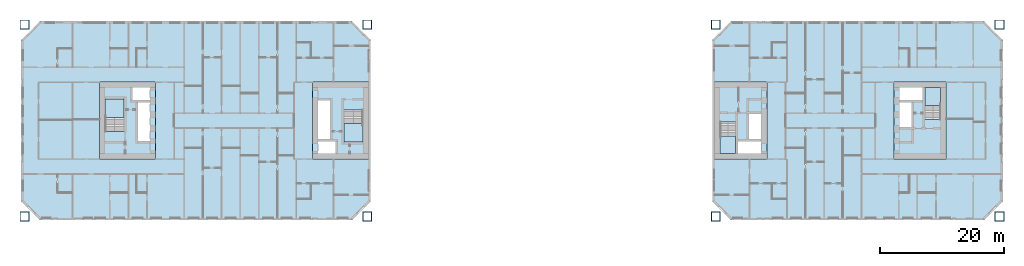
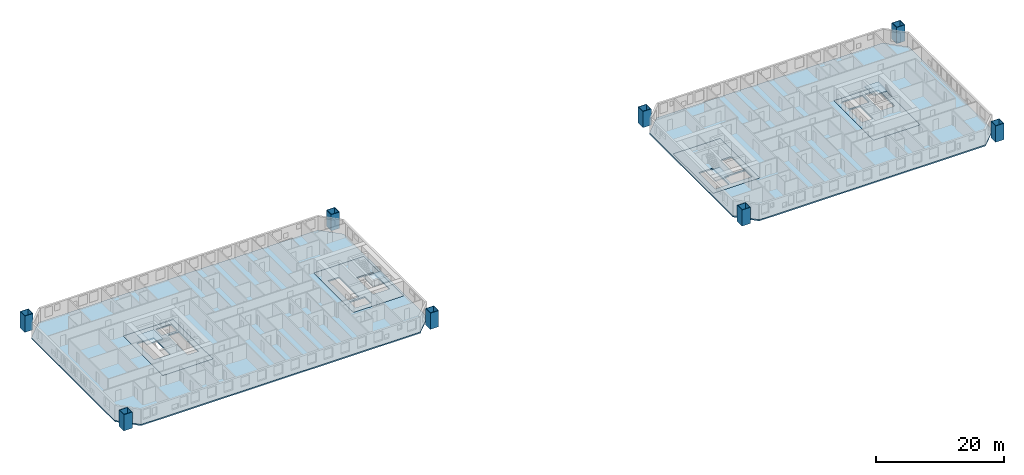
# One storey, part 1 of 17: 10 slabs, 8 columns, 4 elements without a shape of their own.
"""IFC4 building model written with IfcOpenShell, lengths in metres."""

from ifc_helpers import new_model, si_unit, direction, frame, origin, origin_2d, place, context, subcontext, project, spatial, polyline, hollow_rectangle, outline, extrude, material, layer, layer_set, material_profile, profile_set, type_object, element, aggregate, save


model = new_model("IFC4")

# Units and contexts
model_context = context("Model", 3, precision=1e-05, world=origin(), true_north=direction((0.0, 1.0)))
body_context = subcontext(model_context, "Body", "Model", "MODEL_VIEW")
ifc_project = project(units=[si_unit("LENGTHUNIT", "METRE"), si_unit("AREAUNIT", "SQUARE_METRE"), si_unit("VOLUMEUNIT", "CUBIC_METRE"), si_unit("PLANEANGLEUNIT", "RADIAN"), si_unit("MASSUNIT", "GRAM", prefix="KILO")], contexts=[model_context])

# Site, building, storey
site_placement = place(None, origin())
site = spatial("IfcSite", under=ifc_project, at=site_placement, CompositionType="ELEMENT")
building_placement = place(site_placement, origin())
building = spatial("IfcBuilding", under=site, at=building_placement, Name="Tuart Gate Housing", CompositionType="ELEMENT")
storey_placement = place(building_placement, frame((0.0, 0.0, 22.60009765625)))
storey = spatial("IfcBuildingStorey", under=building, at=storey_placement, Name="L05", CompositionType="ELEMENT", Elevation=22.60009765625)

# Columns
ifc_material_1 = material(Name="Steel Grade 350", Category="steel")
ifc_material_profile = material_profile(ifc_material_1, hollow_rectangle(XDim=1.5, YDim=1.5, WallThickness=0.080078125, at=origin_2d()), Name="BOX 1500x1500x80")
ifc_profile_set = profile_set([ifc_material_profile], Name="Steel Grade 350")
column_type = type_object("IfcColumnType", Name="Mega column BOX 1500x1500x80", PredefinedType="COLUMN", material=ifc_profile_set)
for number, where, z_axis, x_axis, name in (
    (1, (20.300048828125, 54.550048828125, 0.0), (0.0, 0.0, 1.0), (1.0, 0.0, 0.0), "Mega column A south-west L05"),
    (2, (75.449951171875, 54.550048828125, 0.0), (0.0, 0.0, 1.0), (1.0, 0.0, 0.0), "Mega column A south-east L05"),
    (3, (75.449951171875, 85.449951171875, 0.0), (0.0, 0.0, 1.0), (1.0, 0.0, 0.0), "Mega column A north-east L05"),
    (4, (20.300048828125, 85.449951171875, 0.0), (0.0, 0.0, 1.0), (1.0, 0.0, 0.0), "Mega column A north-west L05"),
    (5, (131.550048828125, 54.550048828125, 0.0), (0.0, 0.0, 1.0), (1.0, 0.0, 0.0), "Mega column B south-west L05"),
    (6, (177.199951171875, 54.550048828125, 0.0), (0.0, 0.0, 1.0), (1.0, 0.0, 0.0), "Mega column B south-east L05"),
    (7, (177.199951171875, 85.449951171875, 0.0), (0.0, 0.0, 1.0), (1.0, 0.0, 0.0), "Mega column B north-east L05"),
    (8, (131.550048828125, 85.449951171875, 0.0), (0.0, 0.0, 1.0), (1.0, 0.0, 0.0), "Mega column B north-west L05"),
):
    element("IfcColumn", number, at=place(storey_placement, frame(where, z_axis=z_axis, x_axis=x_axis)), inside=storey, type_object=column_type, Name=name, PredefinedType="COLUMN", context=body_context, shape_type="SweptSolid", body=[
        extrude(hollow_rectangle(XDim=1.5, YDim=1.5, WallThickness=0.080078125, at=origin_2d()), origin(), (0.0, 0.0, 1.0), 3.099853515625),
    ])

# Slabs
ifc_material_2 = material(Name="Concrete C40", Category="concrete")
ifc_layer_1 = layer(ifc_material_2, 0.25)
ifc_layer_set_1 = layer_set([ifc_layer_1], Name="Core floor slab 250")
slab_type_1 = type_object("IfcSlabType", Name="Core floor slab 250", PredefinedType="FLOOR", material=ifc_layer_set_1)
slab_1_placement = place(storey_placement, frame((0.0, 0.0, -0.25)))
element("IfcSlab", 9, at=slab_1_placement, inside=storey, type_object=slab_type_1, Name="Core floor AG", PredefinedType="FLOOR", context=body_context, shape_type="SweptSolid", body=[
    extrude(outline(polyline([(66.639892578125, 63.800048828125), (75.639892578125, 63.800048828125), (75.639892578125, 76.199951171875), (66.639892578125, 76.199951171875), (66.639892578125, 63.800048828125)]), holes=[polyline([(67.5400390625, 64.699951171875), (70.31005859375, 64.699951171875), (70.31005859375, 66.64990234375), (67.5400390625, 66.64990234375), (67.5400390625, 64.699951171875)]), polyline([(67.5400390625, 67.050048828125), (69.489990234375, 67.050048828125), (69.489990234375, 73.25), (67.5400390625, 73.25), (67.5400390625, 67.050048828125)]), polyline([(71.739990234375, 66.550048828125), (74.739990234375, 66.550048828125), (74.739990234375, 71.72998046875), (71.739990234375, 71.72998046875), (71.739990234375, 66.550048828125)])]), origin(), (0.0, 0.0, 1.0), 0.25),
])
slab_2_placement = place(storey_placement, frame((0.0, 0.0, -0.25)))
element("IfcSlab", 10, at=slab_2_placement, inside=storey, type_object=slab_type_1, Name="Core floor AK", PredefinedType="FLOOR", context=body_context, shape_type="SweptSolid", body=[
    extrude(outline(polyline([(32.360107421875, 63.800048828125), (41.360107421875, 63.800048828125), (41.360107421875, 76.199951171875), (32.360107421875, 76.199951171875), (32.360107421875, 63.800048828125)]), holes=[polyline([(40.4599609375, 75.300048828125), (37.68994140625, 75.300048828125), (37.68994140625, 73.35009765625), (40.4599609375, 73.35009765625), (40.4599609375, 75.300048828125)]), polyline([(40.4599609375, 72.949951171875), (38.510009765625, 72.949951171875), (38.510009765625, 66.75), (40.4599609375, 66.75), (40.4599609375, 72.949951171875)]), polyline([(36.260009765625, 73.449951171875), (33.260009765625, 73.449951171875), (33.260009765625, 68.27001953125), (36.260009765625, 68.27001953125), (36.260009765625, 73.449951171875)])]), origin(), (0.0, 0.0, 1.0), 0.25),
])
slab_3_placement = place(storey_placement, frame((0.0, 0.0, -0.25)))
element("IfcSlab", 11, at=slab_3_placement, inside=storey, type_object=slab_type_1, Name="Core floor BG", PredefinedType="FLOOR", context=body_context, shape_type="SweptSolid", body=[
    extrude(outline(polyline([(131.360107421875, 63.800048828125), (139.760009765625, 63.800048828125), (139.760009765625, 76.199951171875), (131.360107421875, 76.199951171875), (131.360107421875, 63.800048828125)]), holes=[polyline([(138.860107421875, 66.85009765625), (135.159912109375, 66.85009765625), (135.159912109375, 64.699951171875), (138.860107421875, 64.699951171875), (138.860107421875, 66.85009765625)]), polyline([(138.860107421875, 71.050048828125), (136.909912109375, 71.050048828125), (136.909912109375, 67.050048828125), (138.860107421875, 67.050048828125), (138.860107421875, 71.050048828125)]), polyline([(134.760009765625, 69.780029296875), (132.260009765625, 69.780029296875), (132.260009765625, 64.699951171875), (134.760009765625, 64.699951171875), (134.760009765625, 69.780029296875)])]), origin(), (0.0, 0.0, 1.0), 0.25),
])
slab_4_placement = place(storey_placement, frame((0.0, 0.0, -0.25)))
element("IfcSlab", 12, at=slab_4_placement, inside=storey, type_object=slab_type_1, Name="Core floor BK", PredefinedType="FLOOR", context=body_context, shape_type="SweptSolid", body=[
    extrude(outline(polyline([(160.239990234375, 63.800048828125), (168.639892578125, 63.800048828125), (168.639892578125, 76.199951171875), (160.239990234375, 76.199951171875), (160.239990234375, 63.800048828125)]), holes=[polyline([(161.139892578125, 73.14990234375), (164.840087890625, 73.14990234375), (164.840087890625, 75.300048828125), (161.139892578125, 75.300048828125), (161.139892578125, 73.14990234375)]), polyline([(161.139892578125, 68.949951171875), (163.090087890625, 68.949951171875), (163.090087890625, 72.949951171875), (161.139892578125, 72.949951171875), (161.139892578125, 68.949951171875)]), polyline([(165.239990234375, 70.219970703125), (167.739990234375, 70.219970703125), (167.739990234375, 75.300048828125), (165.239990234375, 75.300048828125), (165.239990234375, 70.219970703125)])]), origin(), (0.0, 0.0, 1.0), 0.25),
])
ifc_material_3 = material(Name="Concrete C40", Category="concrete")
ifc_layer_2 = layer(ifc_material_3, 0.25)
ifc_layer_set_2 = layer_set([ifc_layer_2], Name="Flat plate 250")
slab_type_2 = type_object("IfcSlabType", Name="Flat plate 250", PredefinedType="FLOOR", material=ifc_layer_set_2)
slab_5_placement = place(storey_placement, frame((0.0, 0.0, -0.25)))
element("IfcSlab", 13, at=slab_5_placement, inside=storey, type_object=slab_type_2, Name="Floor slab A L05", PredefinedType="FLOOR", context=body_context, shape_type="SweptSolid", body=[
    extrude(outline(polyline([(22.75, 86.0), (19.75, 83.0), (19.75, 57.0), (22.75, 54.0), (73.0, 54.0), (76.0, 57.0), (76.0, 83.0), (73.0, 86.0), (22.75, 86.0)]), holes=[polyline([(66.639892578125, 76.199951171875), (75.639892578125, 76.199951171875), (75.639892578125, 63.800048828125), (66.639892578125, 63.800048828125), (66.639892578125, 76.199951171875)]), polyline([(41.360107421875, 76.199951171875), (41.360107421875, 63.800048828125), (32.360107421875, 63.800048828125), (32.360107421875, 76.199951171875), (41.360107421875, 76.199951171875)])]), origin(), (0.0, 0.0, 1.0), 0.25),
])
slab_6_placement = place(storey_placement, frame((0.0, 0.0, -0.25)))
element("IfcSlab", 14, at=slab_6_placement, inside=storey, type_object=slab_type_2, Name="Floor slab B L05", PredefinedType="FLOOR", context=body_context, shape_type="SweptSolid", body=[
    extrude(outline(polyline([(134.0, 86.0), (131.0, 83.0), (131.0, 57.0), (134.0, 54.0), (174.75, 54.0), (177.75, 57.0), (177.75, 83.0), (174.75, 86.0), (134.0, 86.0)]), holes=[polyline([(131.360107421875, 76.199951171875), (139.760009765625, 76.199951171875), (139.760009765625, 63.800048828125), (131.360107421875, 63.800048828125), (131.360107421875, 76.199951171875)]), polyline([(168.639892578125, 76.199951171875), (168.639892578125, 63.800048828125), (160.239990234375, 63.800048828125), (160.239990234375, 76.199951171875), (168.639892578125, 76.199951171875)])]), origin(), (0.0, 0.0, 1.0), 0.25),
])

# Stair, slab
ifc_material_4 = material(Name="Concrete C40", Category="concrete")
stair_type_1 = type_object("IfcStairType", Name="Core stair 1500", PredefinedType="HALF_TURN_STAIR", material=ifc_material_4)
stair_1_placement = place(storey_placement, origin())
stair_1 = element("IfcStair", 15, at=stair_1_placement, inside=storey, type_object=stair_type_1, Name="Stair SA1", PredefinedType="HALF_TURN_STAIR")
ifc_material_5 = material(Name="Concrete C40", Category="concrete")
ifc_layer_3 = layer(ifc_material_5, 0.199951171875)
ifc_layer_set_3 = layer_set([ifc_layer_3], Name="Stair landing 200")
slab_type_3 = type_object("IfcSlabType", Name="Stair landing 200", PredefinedType="LANDING", material=ifc_layer_set_3)
slab_7_placement = place(storey_placement, frame((0.0, 0.0, 1.349853515625)))
slab_7 = element("IfcSlab", 16, at=slab_7_placement, type_object=slab_type_3, Name="SA1 landing 1", PredefinedType="LANDING", context=body_context, shape_type="SweptSolid", body=[
    extrude(outline(polyline([(71.739990234375, 66.550048828125), (74.739990234375, 66.550048828125), (74.739990234375, 69.510009765625), (71.739990234375, 69.510009765625), (71.739990234375, 66.550048828125)])), origin(), (0.0, 0.0, 1.0), 0.199951171875),
])
aggregate(stair_1, [slab_7])

stair_2_placement = place(storey_placement, origin())
stair_2 = element("IfcStair", 17, at=stair_2_placement, inside=storey, type_object=stair_type_1, Name="Stair SA2", PredefinedType="HALF_TURN_STAIR")
slab_8_placement = place(storey_placement, frame((0.0, 0.0, 1.349853515625)))
slab_8 = element("IfcSlab", 18, at=slab_8_placement, type_object=slab_type_3, Name="SA2 landing 1", PredefinedType="LANDING", context=body_context, shape_type="SweptSolid", body=[
    extrude(outline(polyline([(36.260009765625, 73.449951171875), (33.260009765625, 73.449951171875), (33.260009765625, 70.489990234375), (36.260009765625, 70.489990234375), (36.260009765625, 73.449951171875)])), origin(), (0.0, 0.0, 1.0), 0.199951171875),
])
aggregate(stair_2, [slab_8])

ifc_material_6 = material(Name="Concrete C40", Category="concrete")
stair_type_2 = type_object("IfcStairType", Name="Core stair 1250", PredefinedType="HALF_TURN_STAIR", material=ifc_material_6)
stair_3_placement = place(storey_placement, origin())
stair_3 = element("IfcStair", 19, at=stair_3_placement, inside=storey, type_object=stair_type_2, Name="Stair SB1", PredefinedType="HALF_TURN_STAIR")
slab_9_placement = place(storey_placement, frame((0.0, 0.0, 1.349853515625)))
slab_9 = element("IfcSlab", 20, at=slab_9_placement, type_object=slab_type_3, Name="SB1 landing 1", PredefinedType="LANDING", context=body_context, shape_type="SweptSolid", body=[
    extrude(outline(polyline([(134.760009765625, 67.56005859375), (132.260009765625, 67.56005859375), (132.260009765625, 64.699951171875), (134.760009765625, 64.699951171875), (134.760009765625, 67.56005859375)])), origin(), (0.0, 0.0, 1.0), 0.199951171875),
])
aggregate(stair_3, [slab_9])

stair_4_placement = place(storey_placement, origin())
stair_4 = element("IfcStair", 21, at=stair_4_placement, inside=storey, type_object=stair_type_2, Name="Stair SB2", PredefinedType="HALF_TURN_STAIR")
slab_10_placement = place(storey_placement, frame((0.0, 0.0, 1.349853515625)))
slab_10 = element("IfcSlab", 22, at=slab_10_placement, type_object=slab_type_3, Name="SB2 landing 1", PredefinedType="LANDING", context=body_context, shape_type="SweptSolid", body=[
    extrude(outline(polyline([(165.239990234375, 72.43994140625), (167.739990234375, 72.43994140625), (167.739990234375, 75.300048828125), (165.239990234375, 75.300048828125), (165.239990234375, 72.43994140625)])), origin(), (0.0, 0.0, 1.0), 0.199951171875),
])
aggregate(stair_4, [slab_10])

save(model, "model.ifc")
